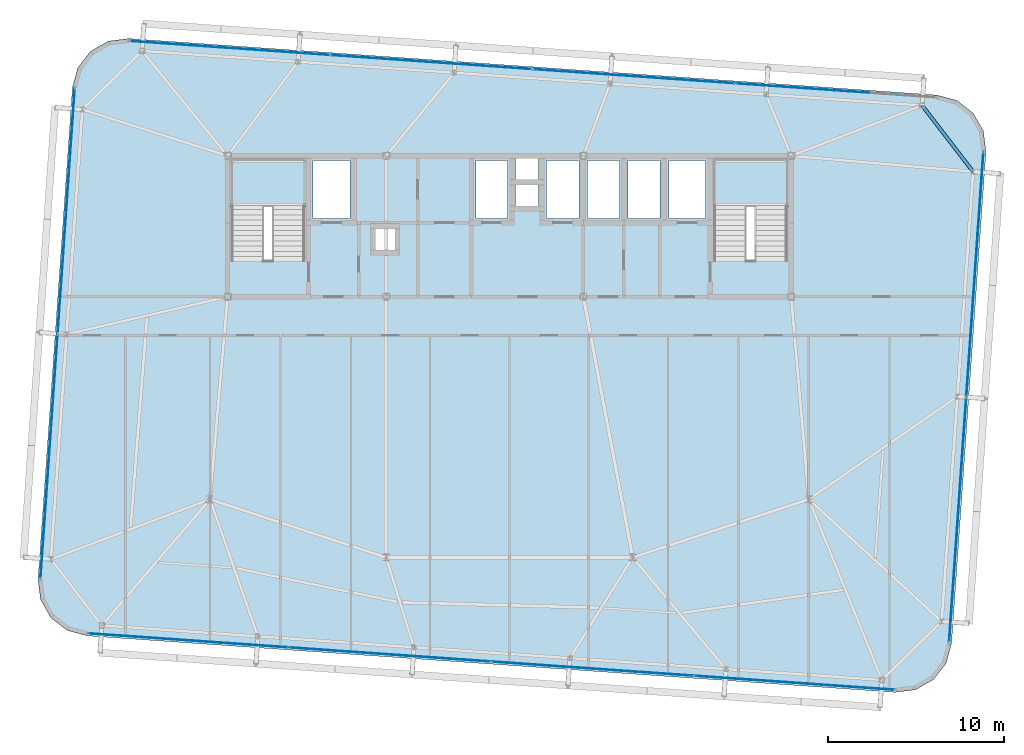
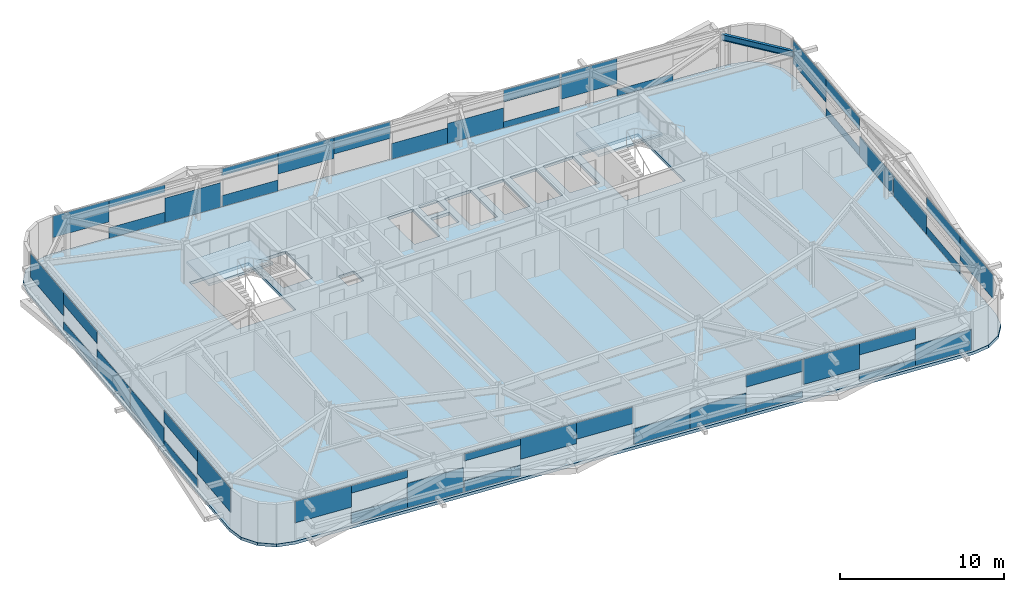
# One storey, part 25 of 39: 46 plates, 3 slabs, 1 beam, 6 elements without a shape of their own.
"""IFC4 building model written with IfcOpenShell, lengths in metres."""

from ifc_helpers import new_model, si_unit, direction, frame, origin, origin_2d, place, context, subcontext, project, spatial, polyline, rectangle, i_section, outline, extrude, source, transform, mapped, material, layer, layer_set, material_profile, profile_set, type_object, element, aggregate, save


model = new_model("IFC4")

# Units and contexts
model_context = context("Model", 3, precision=1e-05, world=origin(), true_north=direction((0.0, 1.0)))
body_context = subcontext(model_context, "Body", "Model", "MODEL_VIEW")
ifc_project = project(units=[si_unit("LENGTHUNIT", "METRE"), si_unit("AREAUNIT", "SQUARE_METRE"), si_unit("VOLUMEUNIT", "CUBIC_METRE"), si_unit("PLANEANGLEUNIT", "RADIAN"), si_unit("MASSUNIT", "GRAM", prefix="KILO")], contexts=[model_context])

# Site, building, storey
site_placement = place(None, origin())
site = spatial("IfcSite", under=ifc_project, at=site_placement, CompositionType="ELEMENT")
building_placement = place(site_placement, origin())
building = spatial("IfcBuilding", under=site, at=building_placement, Name="Taldren Reach Tower", CompositionType="ELEMENT")
storey_placement = place(building_placement, frame((0.0, 0.0, 158.199951171875)))
storey = spatial("IfcBuildingStorey", under=building, at=storey_placement, Name="L48", CompositionType="ELEMENT", Elevation=158.199951171875)

# Beam
ifc_material_1 = material(Name="Steel Gr 350 (350PLUS)", Category="steel")
ifc_material_profile = material_profile(ifc_material_1, i_section(OverallWidth=0.18994140625, OverallDepth=0.4541015625, WebThickness=0.008544921875, FlangeThickness=0.0126953125, at=origin_2d()), Name="460UB67.1")
ifc_profile_set = profile_set([ifc_material_profile], Name="Steel Gr 350 (350PLUS)")
beam_type = type_object("IfcBeamType", Name="SP-UB460B", PredefinedType="SPANDREL", material=ifc_profile_set)
shared_shape_1 = source(origin(), body_context, "Body", "SweptSolid", [
    extrude(i_section(OverallWidth=0.18994140625, OverallDepth=0.4541015625, WebThickness=0.008544921875, FlangeThickness=0.0126953125, at=origin_2d()), origin(), (0.0, 0.0, 1.0), 4.745849609375),
])
beam_placement = place(storey_placement, frame((61.3310546875, 31.1005859375, 2.703125), z_axis=(-0.609904656723, 0.792474800677, 0.0), x_axis=(-0.792474800677, -0.609904656723, 0.0)))
element("IfcBeam", 1, at=beam_placement, inside=storey, type_object=beam_type, Name="Perimeter spandrel B3 E3-N6 L48", PredefinedType="SPANDREL", context=body_context, shape_type="MappedRepresentation", body=[
    mapped(shared_shape_1, transform((0.0, 0.0, 0.0), scale=1.0)),
])

# Slab
ifc_material_2 = material(Name="Concrete N40 (40 MPa)", Category="concrete")
ifc_layer_1 = layer(ifc_material_2, 0.219970703125)
ifc_layer_set_1 = layer_set([ifc_layer_1], Name="Concrete N40 (40 MPa)")
slab_type_1 = type_object("IfcSlabType", Name="SL-FLR-220", PredefinedType="FLOOR", material=ifc_layer_set_1)
slab_1_placement = place(storey_placement, frame((0.0, 0.0, -0.219970703125)))
element("IfcSlab", 2, at=slab_1_placement, inside=storey, type_object=slab_type_1, Name="Suspended floor slab L48", PredefinedType="FLOOR", context=body_context, shape_type="SweptSolid", body=[
    extrude(outline(polyline([(56.908203125, 1.537109375), (58.0693359375, 1.684814453125), (59.08544921875, 2.265625), (59.80224609375, 3.191162109375), (60.110107421875, 4.320556640625), (62.063232421875, 32.252197265625), (61.91552734375, 33.413330078125), (61.334716796875, 34.4296875), (60.4091796875, 35.146240234375), (59.27978515625, 35.4541015625), (13.391845703125, 38.6630859375), (12.230712890625, 38.515380859375), (11.21435546875, 37.934326171875), (10.497802734375, 37.0087890625), (10.18994140625, 35.879638671875), (8.23681640625, 7.94775390625), (8.384521484375, 6.78662109375), (8.96533203125, 5.770263671875), (9.890869140625, 5.0537109375), (11.020263671875, 4.745849609375), (56.908203125, 1.537109375)]), holes=[polyline([(19.219970703125, 26.050048828125), (23.3798828125, 26.050048828125), (23.3798828125, 31.820068359375), (19.219970703125, 31.820068359375), (19.219970703125, 26.050048828125)]), polyline([(46.6201171875, 26.050048828125), (50.780029296875, 26.050048828125), (50.780029296875, 31.820068359375), (46.6201171875, 31.820068359375), (46.6201171875, 26.050048828125)]), polyline([(23.85009765625, 28.449951171875), (25.949951171875, 28.449951171875), (25.949951171875, 31.75), (23.85009765625, 31.75), (23.85009765625, 28.449951171875)]), polyline([(44.050048828125, 28.449951171875), (46.14990234375, 28.449951171875), (46.14990234375, 31.75), (44.050048828125, 31.75), (44.050048828125, 28.449951171875)]), polyline([(33.10009765625, 28.449951171875), (34.89990234375, 28.449951171875), (34.89990234375, 31.75), (33.10009765625, 31.75), (33.10009765625, 28.449951171875)]), polyline([(37.10009765625, 28.449951171875), (38.949951171875, 28.449951171875), (38.949951171875, 31.75), (37.10009765625, 31.75), (37.10009765625, 28.449951171875)]), polyline([(39.449951171875, 28.449951171875), (41.25, 28.449951171875), (41.25, 31.75), (39.449951171875, 31.75), (39.449951171875, 28.449951171875)]), polyline([(41.75, 28.449951171875), (43.550048828125, 28.449951171875), (43.550048828125, 31.75), (41.75, 31.75), (41.75, 28.449951171875)]), polyline([(35.35009765625, 30.64990234375), (36.64990234375, 30.64990234375), (36.64990234375, 31.85009765625), (35.35009765625, 31.85009765625), (35.35009765625, 30.64990234375)]), polyline([(35.35009765625, 29.14990234375), (36.64990234375, 29.14990234375), (36.64990234375, 30.35009765625), (35.35009765625, 30.35009765625), (35.35009765625, 29.14990234375)]), polyline([(27.39990234375, 26.64990234375), (28.5, 26.64990234375), (28.5, 27.85009765625), (27.39990234375, 27.85009765625), (27.39990234375, 26.64990234375)])]), origin(), (0.0, 0.0, 1.0), 0.219970703125),
])

# Stair, slab
ifc_material_3 = material(Name="Concrete S50 (50 MPa)", Category="concrete")
stair_type = type_object("IfcStairType", Name="ST-HT-315", PredefinedType="HALF_TURN_STAIR", material=ifc_material_3)
stair_1_placement = place(storey_placement, origin())
stair_1 = element("IfcStair", 3, at=stair_1_placement, inside=storey, type_object=stair_type, Name="Fire-isolated exit stair ST1 L48", PredefinedType="HALF_TURN_STAIR")
ifc_layer_2 = layer(ifc_material_3, 0.179931640625)
ifc_layer_set_2 = layer_set([ifc_layer_2], Name="Concrete S50 (50 MPa)")
slab_type_2 = type_object("IfcSlabType", Name="SL-LAND-180", PredefinedType="LANDING", material=ifc_layer_set_2)
slab_2_placement = place(storey_placement, frame((0.0, 0.0, 1.39501953125)))
slab_2 = element("IfcSlab", 4, at=slab_2_placement, type_object=slab_type_2, Name="ST1 landing 1", PredefinedType="LANDING", context=body_context, shape_type="SweptSolid", body=[
    extrude(outline(polyline([(19.0400390625, 29.135009765625), (23.56005859375, 29.135009765625), (23.56005859375, 31.8701171875), (19.0400390625, 31.8701171875), (19.0400390625, 29.135009765625)])), origin(), (0.0, 0.0, 1.0), 0.179931640625),
])
aggregate(stair_1, [slab_2])

stair_2_placement = place(storey_placement, origin())
stair_2 = element("IfcStair", 5, at=stair_2_placement, inside=storey, type_object=stair_type, Name="Fire-isolated exit stair ST2 L48", PredefinedType="HALF_TURN_STAIR")
slab_3_placement = place(storey_placement, frame((0.0, 0.0, 1.39501953125)))
slab_3 = element("IfcSlab", 6, at=slab_3_placement, type_object=slab_type_2, Name="ST2 landing 1", PredefinedType="LANDING", context=body_context, shape_type="SweptSolid", body=[
    extrude(outline(polyline([(46.43994140625, 29.135009765625), (50.9599609375, 29.135009765625), (50.9599609375, 31.8701171875), (46.43994140625, 31.8701171875), (46.43994140625, 29.135009765625)])), origin(), (0.0, 0.0, 1.0), 0.179931640625),
])
aggregate(stair_2, [slab_3])

# Curtain wall, plate
ifc_material_4 = material(Name="Aluminium and Low-E Glass Unitised System", Category="aluminium")
ifc_layer_3 = layer(ifc_material_4, 0.159912109375)
ifc_layer_set_3 = layer_set([ifc_layer_3], Name="Aluminium and Low-E Glass Unitised System")
curtain_wall_type = type_object("IfcCurtainWallType", Name="CW-SYS-4", PredefinedType="NOTDEFINED", material=ifc_layer_set_3)
curtain_wall_1_placement = place(storey_placement, origin())
curtain_wall_1 = element("IfcCurtainWall", 7, at=curtain_wall_1_placement, inside=storey, type_object=curtain_wall_type, Name="Unitised curtain wall CW-L48-S", PredefinedType="NOTDEFINED")
ifc_material_5 = material(Name="Solar-Control Double Glazed IGU", Category="glass")
ifc_layer_4 = layer(ifc_material_5, 0.031982421875)
ifc_layer_set_4 = layer_set([ifc_layer_4], Name="Solar-Control Double Glazed IGU")
plate_type = type_object("IfcPlateType", Name="CW-PNL-IGU32", PredefinedType="CURTAIN_PANEL", material=ifc_layer_set_4)
shared_shape_2 = source(origin(), body_context, "Body", "SweptSolid", [
    extrude(rectangle(XDim=3.79833984375, YDim=0.031982421875, at=origin_2d()), origin(), (0.0, 0.0, 1.0), 1.597900390625),
])
plate_1_placement = place(storey_placement, frame((12.994384765625, 4.748046875, 1.27734375), z_axis=(0.0, 0.0, 1.0), x_axis=(0.99756404731, -0.06975651593, 0.0)))
plate_1 = element("IfcPlate", 8, at=plate_1_placement, type_object=plate_type, Name="CW-4 panel 1.1 part 1", PredefinedType="CURTAIN_PANEL", context=body_context, shape_type="MappedRepresentation", body=[
    mapped(shared_shape_2, transform((0.0, 0.0, 0.0), scale=1.0)),
])

curtain_wall_2_placement = place(storey_placement, origin())
curtain_wall_2 = element("IfcCurtainWall", 9, at=curtain_wall_2_placement, inside=storey, type_object=curtain_wall_type, Name="Unitised curtain wall CW-L48-N", PredefinedType="NOTDEFINED")
plate_2_placement = place(storey_placement, frame((15.346435546875, 38.385986328125, 1.27734375), z_axis=(0.0, 0.0, 1.0), x_axis=(-0.99756404731, 0.06975651593, 0.0)))
plate_2 = element("IfcPlate", 10, at=plate_2_placement, type_object=plate_type, Name="CW-4 panel 4.1 part 4", PredefinedType="CURTAIN_PANEL", context=body_context, shape_type="MappedRepresentation", body=[
    mapped(shared_shape_2, transform((0.0, 0.0, 0.0), scale=1.0)),
])

# Plate
shared_shape_3 = source(origin(), body_context, "Body", "SweptSolid", [
    extrude(rectangle(XDim=3.79833984375, YDim=0.031982421875, at=origin_2d()), origin(), (0.0, 0.0, 1.0), 0.787109375),
])
plate_3_placement = place(storey_placement, frame((16.783447265625, 4.483154296875, 0.054931640625), z_axis=(0.0, 0.0, 1.0), x_axis=(0.99756404731, -0.06975651593, 0.0)))
plate_3 = element("IfcPlate", 11, at=plate_3_placement, type_object=plate_type, Name="CW-4 panel 1.1 part 2", PredefinedType="CURTAIN_PANEL", context=body_context, shape_type="MappedRepresentation", body=[
    mapped(shared_shape_3, transform((0.0, 0.0, 0.0), scale=1.0)),
])

plate_4_placement = place(storey_placement, frame((19.135498046875, 38.12109375, 0.054931640625), z_axis=(0.0, 0.0, 1.0), x_axis=(-0.99756404731, 0.06975651593, 0.0)))
plate_4 = element("IfcPlate", 12, at=plate_4_placement, type_object=plate_type, Name="CW-4 panel 4.1 part 2", PredefinedType="CURTAIN_PANEL", context=body_context, shape_type="MappedRepresentation", body=[
    mapped(shared_shape_3, transform((0.0, 0.0, 0.0), scale=1.0)),
])

shared_shape_4 = source(origin(), body_context, "Body", "SweptSolid", [
    extrude(rectangle(XDim=3.79833984375, YDim=0.031982421875, at=origin_2d()), origin(), (0.0, 0.0, 1.0), 0.558349609375),
])
plate_5_placement = place(storey_placement, frame((16.783447265625, 4.483154296875, 2.31689453125), z_axis=(0.0, 0.0, 1.0), x_axis=(0.99756404731, -0.06975651593, 0.0)))
plate_5 = element("IfcPlate", 13, at=plate_5_placement, type_object=plate_type, Name="CW-4 panel 1.1 part 3", PredefinedType="CURTAIN_PANEL", context=body_context, shape_type="MappedRepresentation", body=[
    mapped(shared_shape_4, transform((0.0, 0.0, 0.0), scale=1.0)),
])

plate_6_placement = place(storey_placement, frame((19.135498046875, 38.12109375, 2.31689453125), z_axis=(0.0, 0.0, 1.0), x_axis=(-0.99756404731, 0.06975651593, 0.0)))
plate_6 = element("IfcPlate", 14, at=plate_6_placement, type_object=plate_type, Name="CW-4 panel 4.1 part 3", PredefinedType="CURTAIN_PANEL", context=body_context, shape_type="MappedRepresentation", body=[
    mapped(shared_shape_4, transform((0.0, 0.0, 0.0), scale=1.0)),
])

shared_shape_5 = source(origin(), body_context, "Body", "SweptSolid", [
    extrude(rectangle(XDim=3.79833984375, YDim=0.031982421875, at=origin_2d()), origin(), (0.0, 0.0, 1.0), 1.826416015625),
])
plate_7_placement = place(storey_placement, frame((20.572509765625, 4.21826171875, 0.05517578125), z_axis=(0.0, 0.0, 1.0), x_axis=(0.99756404731, -0.06975651593, 0.0)))
plate_7 = element("IfcPlate", 15, at=plate_7_placement, type_object=plate_type, Name="CW-4 panel 1.1 part 4", PredefinedType="CURTAIN_PANEL", context=body_context, shape_type="MappedRepresentation", body=[
    mapped(shared_shape_5, transform((0.0, 0.0, 0.0), scale=1.0)),
])

plate_8_placement = place(storey_placement, frame((22.924560546875, 37.85595703125, 0.05517578125), z_axis=(0.0, 0.0, 1.0), x_axis=(-0.99756404731, 0.06975651593, 0.0)))
plate_8 = element("IfcPlate", 16, at=plate_8_placement, type_object=plate_type, Name="CW-4 panel 4.1 part 1", PredefinedType="CURTAIN_PANEL", context=body_context, shape_type="MappedRepresentation", body=[
    mapped(shared_shape_5, transform((0.0, 0.0, 0.0), scale=1.0)),
])

shared_shape_6 = source(origin(), body_context, "Body", "SweptSolid", [
    extrude(rectangle(XDim=3.81005859375, YDim=0.031982421875, at=origin_2d()), origin(), (0.0, 0.0, 1.0), 0.8271484375),
])
plate_9_placement = place(storey_placement, frame((24.437255859375, 3.947998046875, 0.05517578125), z_axis=(0.0, 0.0, 1.0), x_axis=(0.99756404731, -0.06975651593, 0.0)))
plate_9 = element("IfcPlate", 17, at=plate_9_placement, type_object=plate_type, Name="CW-4 panel 2.1 part 1", PredefinedType="CURTAIN_PANEL", context=body_context, shape_type="MappedRepresentation", body=[
    mapped(shared_shape_6, transform((0.0, 0.0, 0.0), scale=1.0)),
])

plate_10_placement = place(storey_placement, frame((26.789306640625, 37.585693359375, 0.05517578125), z_axis=(0.0, 0.0, 1.0), x_axis=(-0.99756404731, 0.06975651593, 0.0)))
plate_10 = element("IfcPlate", 18, at=plate_10_placement, type_object=plate_type, Name="CW-4 panel 3.1 part 3", PredefinedType="CURTAIN_PANEL", context=body_context, shape_type="MappedRepresentation", body=[
    mapped(shared_shape_6, transform((0.0, 0.0, 0.0), scale=1.0)),
])

shared_shape_7 = source(origin(), body_context, "Body", "SweptSolid", [
    extrude(rectangle(XDim=3.81005859375, YDim=0.031982421875, at=origin_2d()), origin(), (0.0, 0.0, 1.0), 0.51513671875),
])
plate_11_placement = place(storey_placement, frame((24.437255859375, 3.947998046875, 2.35986328125), z_axis=(0.0, 0.0, 1.0), x_axis=(0.99756404731, -0.06975651593, 0.0)))
plate_11 = element("IfcPlate", 19, at=plate_11_placement, type_object=plate_type, Name="CW-4 panel 2.1 part 2", PredefinedType="CURTAIN_PANEL", context=body_context, shape_type="MappedRepresentation", body=[
    mapped(shared_shape_7, transform((0.0, 0.0, 0.0), scale=1.0)),
])

plate_12_placement = place(storey_placement, frame((26.789306640625, 37.585693359375, 2.35986328125), z_axis=(0.0, 0.0, 1.0), x_axis=(-0.99756404731, 0.06975651593, 0.0)))
plate_12 = element("IfcPlate", 20, at=plate_12_placement, type_object=plate_type, Name="CW-4 panel 3.1 part 4", PredefinedType="CURTAIN_PANEL", context=body_context, shape_type="MappedRepresentation", body=[
    mapped(shared_shape_7, transform((0.0, 0.0, 0.0), scale=1.0)),
])

shared_shape_8 = source(origin(), body_context, "Body", "SweptSolid", [
    extrude(rectangle(XDim=3.81005859375, YDim=0.031982421875, at=origin_2d()), origin(), (0.0, 0.0, 1.0), 1.5576171875),
])
plate_13_placement = place(storey_placement, frame((28.23779296875, 3.68212890625, 1.3173828125), z_axis=(0.0, 0.0, 1.0), x_axis=(0.99756404731, -0.06975651593, 0.0)))
plate_13 = element("IfcPlate", 21, at=plate_13_placement, type_object=plate_type, Name="CW-4 panel 2.1 part 3", PredefinedType="CURTAIN_PANEL", context=body_context, shape_type="MappedRepresentation", body=[
    mapped(shared_shape_8, transform((0.0, 0.0, 0.0), scale=1.0)),
])

plate_14_placement = place(storey_placement, frame((30.590087890625, 37.320068359375, 1.3173828125), z_axis=(0.0, 0.0, 1.0), x_axis=(-0.99756404731, 0.06975651593, 0.0)))
plate_14 = element("IfcPlate", 22, at=plate_14_placement, type_object=plate_type, Name="CW-4 panel 3.1 part 2", PredefinedType="CURTAIN_PANEL", context=body_context, shape_type="MappedRepresentation", body=[
    mapped(shared_shape_8, transform((0.0, 0.0, 0.0), scale=1.0)),
])

shared_shape_9 = source(origin(), body_context, "Body", "SweptSolid", [
    extrude(rectangle(XDim=3.81005859375, YDim=0.031982421875, at=origin_2d()), origin(), (0.0, 0.0, 1.0), 1.23193359375),
])
plate_15_placement = place(storey_placement, frame((32.03857421875, 3.41650390625, 1.64306640625), z_axis=(0.0, 0.0, 1.0), x_axis=(0.99756404731, -0.06975651593, 0.0)))
plate_15 = element("IfcPlate", 23, at=plate_15_placement, type_object=plate_type, Name="CW-4 panel 2.1 part 4", PredefinedType="CURTAIN_PANEL", context=body_context, shape_type="MappedRepresentation", body=[
    mapped(shared_shape_9, transform((0.0, 0.0, 0.0), scale=1.0)),
])

plate_16_placement = place(storey_placement, frame((34.390869140625, 37.05419921875, 1.64306640625), z_axis=(0.0, 0.0, 1.0), x_axis=(-0.99756404731, 0.06975651593, 0.0)))
plate_16 = element("IfcPlate", 24, at=plate_16_placement, type_object=plate_type, Name="CW-4 panel 3.1 part 1", PredefinedType="CURTAIN_PANEL", context=body_context, shape_type="MappedRepresentation", body=[
    mapped(shared_shape_9, transform((0.0, 0.0, 0.0), scale=1.0)),
])

shared_shape_10 = source(origin(), body_context, "Body", "SweptSolid", [
    extrude(rectangle(XDim=3.81005859375, YDim=0.031982421875, at=origin_2d()), origin(), (0.0, 0.0, 1.0), 1.172119140625),
])
plate_17_placement = place(storey_placement, frame((35.9091796875, 3.145751953125, 0.05517578125), z_axis=(0.0, 0.0, 1.0), x_axis=(0.99756404731, -0.06975651593, 0.0)))
plate_17 = element("IfcPlate", 25, at=plate_17_placement, type_object=plate_type, Name="CW-4 panel 3.1 part 1", PredefinedType="CURTAIN_PANEL", context=body_context, shape_type="MappedRepresentation", body=[
    mapped(shared_shape_10, transform((0.0, 0.0, 0.0), scale=1.0)),
])

plate_18_placement = place(storey_placement, frame((38.261474609375, 36.78369140625, 0.05517578125), z_axis=(0.0, 0.0, 1.0), x_axis=(-0.99756404731, 0.06975651593, 0.0)))
plate_18 = element("IfcPlate", 26, at=plate_18_placement, type_object=plate_type, Name="CW-4 panel 2.1 part 4", PredefinedType="CURTAIN_PANEL", context=body_context, shape_type="MappedRepresentation", body=[
    mapped(shared_shape_10, transform((0.0, 0.0, 0.0), scale=1.0)),
])

shared_shape_11 = source(origin(), body_context, "Body", "SweptSolid", [
    extrude(rectangle(XDim=3.81005859375, YDim=0.031982421875, at=origin_2d()), origin(), (0.0, 0.0, 1.0), 1.497802734375),
])
plate_19_placement = place(storey_placement, frame((39.7099609375, 2.8798828125, 0.05517578125), z_axis=(0.0, 0.0, 1.0), x_axis=(0.99756404731, -0.06975651593, 0.0)))
plate_19 = element("IfcPlate", 27, at=plate_19_placement, type_object=plate_type, Name="CW-4 panel 3.1 part 2", PredefinedType="CURTAIN_PANEL", context=body_context, shape_type="MappedRepresentation", body=[
    mapped(shared_shape_11, transform((0.0, 0.0, 0.0), scale=1.0)),
])

plate_20_placement = place(storey_placement, frame((42.06201171875, 36.517822265625, 0.05517578125), z_axis=(0.0, 0.0, 1.0), x_axis=(-0.99756404731, 0.06975651593, 0.0)))
plate_20 = element("IfcPlate", 28, at=plate_20_placement, type_object=plate_type, Name="CW-4 panel 2.1 part 3", PredefinedType="CURTAIN_PANEL", context=body_context, shape_type="MappedRepresentation", body=[
    mapped(shared_shape_11, transform((0.0, 0.0, 0.0), scale=1.0)),
])

shared_shape_12 = source(origin(), body_context, "Body", "SweptSolid", [
    extrude(rectangle(XDim=3.81005859375, YDim=0.031982421875, at=origin_2d()), origin(), (0.0, 0.0, 1.0), 0.455078125),
])
plate_21_placement = place(storey_placement, frame((43.510498046875, 2.6142578125, 0.054931640625), z_axis=(0.0, 0.0, 1.0), x_axis=(0.99756404731, -0.06975651593, 0.0)))
plate_21 = element("IfcPlate", 29, at=plate_21_placement, type_object=plate_type, Name="CW-4 panel 3.1 part 3", PredefinedType="CURTAIN_PANEL", context=body_context, shape_type="MappedRepresentation", body=[
    mapped(shared_shape_12, transform((0.0, 0.0, 0.0), scale=1.0)),
])

plate_22_placement = place(storey_placement, frame((45.86279296875, 36.251953125, 0.054931640625), z_axis=(0.0, 0.0, 1.0), x_axis=(-0.99756404731, 0.06975651593, 0.0)))
plate_22 = element("IfcPlate", 30, at=plate_22_placement, type_object=plate_type, Name="CW-4 panel 2.1 part 1", PredefinedType="CURTAIN_PANEL", context=body_context, shape_type="MappedRepresentation", body=[
    mapped(shared_shape_12, transform((0.0, 0.0, 0.0), scale=1.0)),
])

shared_shape_13 = source(origin(), body_context, "Body", "SweptSolid", [
    extrude(rectangle(XDim=3.81005859375, YDim=0.031982421875, at=origin_2d()), origin(), (0.0, 0.0, 1.0), 0.88720703125),
])
plate_23_placement = place(storey_placement, frame((43.510498046875, 2.6142578125, 1.98779296875), z_axis=(0.0, 0.0, 1.0), x_axis=(0.99756404731, -0.06975651593, 0.0)))
plate_23 = element("IfcPlate", 31, at=plate_23_placement, type_object=plate_type, Name="CW-4 panel 3.1 part 4", PredefinedType="CURTAIN_PANEL", context=body_context, shape_type="MappedRepresentation", body=[
    mapped(shared_shape_13, transform((0.0, 0.0, 0.0), scale=1.0)),
])

plate_24_placement = place(storey_placement, frame((45.86279296875, 36.251953125, 1.98779296875), z_axis=(0.0, 0.0, 1.0), x_axis=(-0.99756404731, 0.06975651593, 0.0)))
plate_24 = element("IfcPlate", 32, at=plate_24_placement, type_object=plate_type, Name="CW-4 panel 2.1 part 2", PredefinedType="CURTAIN_PANEL", context=body_context, shape_type="MappedRepresentation", body=[
    mapped(shared_shape_13, transform((0.0, 0.0, 0.0), scale=1.0)),
])

shared_shape_14 = source(origin(), body_context, "Body", "SweptSolid", [
    extrude(rectangle(XDim=3.79833984375, YDim=0.031982421875, at=origin_2d()), origin(), (0.0, 0.0, 1.0), 1.886474609375),
])
plate_25_placement = place(storey_placement, frame((47.375244140625, 2.343994140625, 0.98876953125), z_axis=(0.0, 0.0, 1.0), x_axis=(0.99756404731, -0.06975651593, 0.0)))
plate_25 = element("IfcPlate", 33, at=plate_25_placement, type_object=plate_type, Name="CW-4 panel 4.1 part 1", PredefinedType="CURTAIN_PANEL", context=body_context, shape_type="MappedRepresentation", body=[
    mapped(shared_shape_14, transform((0.0, 0.0, 0.0), scale=1.0)),
])

plate_26_placement = place(storey_placement, frame((49.7275390625, 35.981689453125, 0.98876953125), z_axis=(0.0, 0.0, 1.0), x_axis=(-0.99756404731, 0.06975651593, 0.0)))
plate_26 = element("IfcPlate", 34, at=plate_26_placement, type_object=plate_type, Name="CW-4 panel 1.1 part 4", PredefinedType="CURTAIN_PANEL", context=body_context, shape_type="MappedRepresentation", body=[
    mapped(shared_shape_14, transform((0.0, 0.0, 0.0), scale=1.0)),
])

shared_shape_15 = source(origin(), body_context, "Body", "SweptSolid", [
    extrude(rectangle(XDim=3.79833984375, YDim=0.031982421875, at=origin_2d()), origin(), (0.0, 0.0, 1.0), 0.498291015625),
])
plate_27_placement = place(storey_placement, frame((51.16455078125, 2.0791015625, 0.05517578125), z_axis=(0.0, 0.0, 1.0), x_axis=(0.99756404731, -0.06975651593, 0.0)))
plate_27 = element("IfcPlate", 35, at=plate_27_placement, type_object=plate_type, Name="CW-4 panel 4.1 part 2", PredefinedType="CURTAIN_PANEL", context=body_context, shape_type="MappedRepresentation", body=[
    mapped(shared_shape_15, transform((0.0, 0.0, 0.0), scale=1.0)),
])

plate_28_placement = place(storey_placement, frame((53.5166015625, 35.716796875, 0.05517578125), z_axis=(0.0, 0.0, 1.0), x_axis=(-0.99756404731, 0.06975651593, 0.0)))
plate_28 = element("IfcPlate", 36, at=plate_28_placement, type_object=plate_type, Name="CW-4 panel 1.1 part 2", PredefinedType="CURTAIN_PANEL", context=body_context, shape_type="MappedRepresentation", body=[
    mapped(shared_shape_15, transform((0.0, 0.0, 0.0), scale=1.0)),
])

aggregate(curtain_wall_2, [plate_28, plate_26, plate_22, plate_24, plate_20, plate_18, plate_16, plate_14, plate_10, plate_12, plate_8, plate_4, plate_6, plate_2])

shared_shape_16 = source(origin(), body_context, "Body", "SweptSolid", [
    extrude(rectangle(XDim=3.79833984375, YDim=0.031982421875, at=origin_2d()), origin(), (0.0, 0.0, 1.0), 0.84716796875),
])
plate_29_placement = place(storey_placement, frame((51.16455078125, 2.0791015625, 2.02783203125), z_axis=(0.0, 0.0, 1.0), x_axis=(0.99756404731, -0.06975651593, 0.0)))
plate_29 = element("IfcPlate", 37, at=plate_29_placement, type_object=plate_type, Name="CW-4 panel 4.1 part 3", PredefinedType="CURTAIN_PANEL", context=body_context, shape_type="MappedRepresentation", body=[
    mapped(shared_shape_16, transform((0.0, 0.0, 0.0), scale=1.0)),
])

shared_shape_17 = source(origin(), body_context, "Body", "SweptSolid", [
    extrude(rectangle(XDim=3.79833984375, YDim=0.031982421875, at=origin_2d()), origin(), (0.0, 0.0, 1.0), 1.537841796875),
])
plate_30_placement = place(storey_placement, frame((54.95361328125, 1.81396484375, 0.05517578125), z_axis=(0.0, 0.0, 1.0), x_axis=(0.99756404731, -0.06975651593, 0.0)))
plate_30 = element("IfcPlate", 38, at=plate_30_placement, type_object=plate_type, Name="CW-4 panel 4.1 part 4", PredefinedType="CURTAIN_PANEL", context=body_context, shape_type="MappedRepresentation", body=[
    mapped(shared_shape_17, transform((0.0, 0.0, 0.0), scale=1.0)),
])

aggregate(curtain_wall_1, [plate_1, plate_3, plate_5, plate_7, plate_9, plate_11, plate_13, plate_15, plate_17, plate_19, plate_21, plate_23, plate_25, plate_27, plate_29, plate_30])

# Curtain wall, plates
curtain_wall_3_placement = place(storey_placement, origin())
curtain_wall_3 = element("IfcCurtainWall", 39, at=curtain_wall_3_placement, inside=storey, type_object=curtain_wall_type, Name="Unitised curtain wall CW-L48-W", PredefinedType="NOTDEFINED")
shared_shape_18 = source(origin(), body_context, "Body", "SweptSolid", [
    extrude(rectangle(XDim=4.631591796875, YDim=0.031982421875, at=origin_2d()), origin(), (0.0, 0.0, 1.0), 1.776611328125),
])
plate_31_placement = place(storey_placement, frame((10.1630859375, 33.48974609375, 1.0986328125), z_axis=(0.0, 0.0, 1.0), x_axis=(-0.069756437251, -0.997564052812, 0.0)))
plate_31 = element("IfcPlate", 40, at=plate_31_placement, type_object=plate_type, Name="CW-4 panel 1.1 part 1", PredefinedType="CURTAIN_PANEL", context=body_context, shape_type="MappedRepresentation", body=[
    mapped(shared_shape_18, transform((0.0, 0.0, 0.0), scale=1.0)),
])
plate_32_placement = place(storey_placement, frame((8.542724609375, 10.318115234375, 1.0986328125), z_axis=(0.0, 0.0, 1.0), x_axis=(-0.069756437251, -0.997564052812, 0.0)))
plate_32 = element("IfcPlate", 41, at=plate_32_placement, type_object=plate_type, Name="CW-4 panel 2.1 part 4", PredefinedType="CURTAIN_PANEL", context=body_context, shape_type="MappedRepresentation", body=[
    mapped(shared_shape_18, transform((0.0, 0.0, 0.0), scale=1.0)),
])

curtain_wall_4_placement = place(storey_placement, origin())
curtain_wall_4 = element("IfcCurtainWall", 42, at=curtain_wall_4_placement, inside=storey, type_object=curtain_wall_type, Name="Unitised curtain wall CW-L48-E", PredefinedType="NOTDEFINED")
plate_33_placement = place(storey_placement, frame((60.136962890625, 6.710205078125, 1.0986328125), z_axis=(0.0, 0.0, 1.0), x_axis=(0.069756437251, 0.997564052812, 0.0)))
plate_33 = element("IfcPlate", 43, at=plate_33_placement, type_object=plate_type, Name="CW-4 panel 1.1 part 1", PredefinedType="CURTAIN_PANEL", context=body_context, shape_type="MappedRepresentation", body=[
    mapped(shared_shape_18, transform((0.0, 0.0, 0.0), scale=1.0)),
])
plate_34_placement = place(storey_placement, frame((61.757080078125, 29.882080078125, 1.0986328125), z_axis=(0.0, 0.0, 1.0), x_axis=(0.069756437251, 0.997564052812, 0.0)))
plate_34 = element("IfcPlate", 44, at=plate_34_placement, type_object=plate_type, Name="CW-4 panel 2.1 part 4", PredefinedType="CURTAIN_PANEL", context=body_context, shape_type="MappedRepresentation", body=[
    mapped(shared_shape_18, transform((0.0, 0.0, 0.0), scale=1.0)),
])

# Plate
shared_shape_19 = source(origin(), body_context, "Body", "SweptSolid", [
    extrude(rectangle(XDim=4.631591796875, YDim=0.031982421875, at=origin_2d()), origin(), (0.0, 0.0, 1.0), 0.6162109375),
])
plate_35_placement = place(storey_placement, frame((9.840087890625, 28.869384765625, 0.054931640625), z_axis=(0.0, 0.0, 1.0), x_axis=(-0.069756437251, -0.997564052812, 0.0)))
plate_35 = element("IfcPlate", 45, at=plate_35_placement, type_object=plate_type, Name="CW-4 panel 1.1 part 2", PredefinedType="CURTAIN_PANEL", context=body_context, shape_type="MappedRepresentation", body=[
    mapped(shared_shape_19, transform((0.0, 0.0, 0.0), scale=1.0)),
])

plate_36_placement = place(storey_placement, frame((8.865966796875, 14.9384765625, 0.054931640625), z_axis=(0.0, 0.0, 1.0), x_axis=(-0.069756437251, -0.997564052812, 0.0)))
plate_36 = element("IfcPlate", 46, at=plate_36_placement, type_object=plate_type, Name="CW-4 panel 2.1 part 2", PredefinedType="CURTAIN_PANEL", context=body_context, shape_type="MappedRepresentation", body=[
    mapped(shared_shape_19, transform((0.0, 0.0, 0.0), scale=1.0)),
])

plate_37_placement = place(storey_placement, frame((60.4599609375, 11.33056640625, 0.054931640625), z_axis=(0.0, 0.0, 1.0), x_axis=(0.069756437251, 0.997564052812, 0.0)))
plate_37 = element("IfcPlate", 47, at=plate_37_placement, type_object=plate_type, Name="CW-4 panel 1.1 part 2", PredefinedType="CURTAIN_PANEL", context=body_context, shape_type="MappedRepresentation", body=[
    mapped(shared_shape_19, transform((0.0, 0.0, 0.0), scale=1.0)),
])

plate_38_placement = place(storey_placement, frame((61.43408203125, 25.261474609375, 0.054931640625), z_axis=(0.0, 0.0, 1.0), x_axis=(0.069756437251, 0.997564052812, 0.0)))
plate_38 = element("IfcPlate", 48, at=plate_38_placement, type_object=plate_type, Name="CW-4 panel 2.1 part 2", PredefinedType="CURTAIN_PANEL", context=body_context, shape_type="MappedRepresentation", body=[
    mapped(shared_shape_19, transform((0.0, 0.0, 0.0), scale=1.0)),
])

shared_shape_20 = source(origin(), body_context, "Body", "SweptSolid", [
    extrude(rectangle(XDim=4.631591796875, YDim=0.031982421875, at=origin_2d()), origin(), (0.0, 0.0, 1.0), 0.897216796875),
])
plate_39_placement = place(storey_placement, frame((9.840087890625, 28.869384765625, 1.97802734375), z_axis=(0.0, 0.0, 1.0), x_axis=(-0.069756437251, -0.997564052812, 0.0)))
plate_39 = element("IfcPlate", 49, at=plate_39_placement, type_object=plate_type, Name="CW-4 panel 1.1 part 3", PredefinedType="CURTAIN_PANEL", context=body_context, shape_type="MappedRepresentation", body=[
    mapped(shared_shape_20, transform((0.0, 0.0, 0.0), scale=1.0)),
])

plate_40_placement = place(storey_placement, frame((8.865966796875, 14.9384765625, 1.97802734375), z_axis=(0.0, 0.0, 1.0), x_axis=(-0.069756437251, -0.997564052812, 0.0)))
plate_40 = element("IfcPlate", 50, at=plate_40_placement, type_object=plate_type, Name="CW-4 panel 2.1 part 3", PredefinedType="CURTAIN_PANEL", context=body_context, shape_type="MappedRepresentation", body=[
    mapped(shared_shape_20, transform((0.0, 0.0, 0.0), scale=1.0)),
])

plate_41_placement = place(storey_placement, frame((60.4599609375, 11.33056640625, 1.97802734375), z_axis=(0.0, 0.0, 1.0), x_axis=(0.069756437251, 0.997564052812, 0.0)))
plate_41 = element("IfcPlate", 51, at=plate_41_placement, type_object=plate_type, Name="CW-4 panel 1.1 part 3", PredefinedType="CURTAIN_PANEL", context=body_context, shape_type="MappedRepresentation", body=[
    mapped(shared_shape_20, transform((0.0, 0.0, 0.0), scale=1.0)),
])

plate_42_placement = place(storey_placement, frame((61.43408203125, 25.261474609375, 1.97802734375), z_axis=(0.0, 0.0, 1.0), x_axis=(0.069756437251, 0.997564052812, 0.0)))
plate_42 = element("IfcPlate", 52, at=plate_42_placement, type_object=plate_type, Name="CW-4 panel 2.1 part 3", PredefinedType="CURTAIN_PANEL", context=body_context, shape_type="MappedRepresentation", body=[
    mapped(shared_shape_20, transform((0.0, 0.0, 0.0), scale=1.0)),
])

shared_shape_21 = source(origin(), body_context, "Body", "SweptSolid", [
    extrude(rectangle(XDim=4.631591796875, YDim=0.031982421875, at=origin_2d()), origin(), (0.0, 0.0, 1.0), 1.495361328125),
])
plate_43_placement = place(storey_placement, frame((9.51708984375, 24.2490234375, 0.05517578125), z_axis=(0.0, 0.0, 1.0), x_axis=(-0.069756437251, -0.997564052812, 0.0)))
plate_43 = element("IfcPlate", 53, at=plate_43_placement, type_object=plate_type, Name="CW-4 panel 1.1 part 4", PredefinedType="CURTAIN_PANEL", context=body_context, shape_type="MappedRepresentation", body=[
    mapped(shared_shape_21, transform((0.0, 0.0, 0.0), scale=1.0)),
])

plate_44_placement = place(storey_placement, frame((9.18896484375, 19.558837890625, 0.05517578125), z_axis=(0.0, 0.0, 1.0), x_axis=(-0.069756437251, -0.997564052812, 0.0)))
plate_44 = element("IfcPlate", 54, at=plate_44_placement, type_object=plate_type, Name="CW-4 panel 2.1 part 1", PredefinedType="CURTAIN_PANEL", context=body_context, shape_type="MappedRepresentation", body=[
    mapped(shared_shape_21, transform((0.0, 0.0, 0.0), scale=1.0)),
])

aggregate(curtain_wall_3, [plate_31, plate_35, plate_39, plate_43, plate_44, plate_36, plate_40, plate_32])

plate_45_placement = place(storey_placement, frame((60.782958984375, 15.950927734375, 0.05517578125), z_axis=(0.0, 0.0, 1.0), x_axis=(0.069756437251, 0.997564052812, 0.0)))
plate_45 = element("IfcPlate", 55, at=plate_45_placement, type_object=plate_type, Name="CW-4 panel 1.1 part 4", PredefinedType="CURTAIN_PANEL", context=body_context, shape_type="MappedRepresentation", body=[
    mapped(shared_shape_21, transform((0.0, 0.0, 0.0), scale=1.0)),
])

plate_46_placement = place(storey_placement, frame((61.111083984375, 20.64111328125, 0.05517578125), z_axis=(0.0, 0.0, 1.0), x_axis=(0.069756437251, 0.997564052812, 0.0)))
plate_46 = element("IfcPlate", 56, at=plate_46_placement, type_object=plate_type, Name="CW-4 panel 2.1 part 1", PredefinedType="CURTAIN_PANEL", context=body_context, shape_type="MappedRepresentation", body=[
    mapped(shared_shape_21, transform((0.0, 0.0, 0.0), scale=1.0)),
])

aggregate(curtain_wall_4, [plate_33, plate_37, plate_41, plate_45, plate_46, plate_38, plate_42, plate_34])

save(model, "model.ifc")
